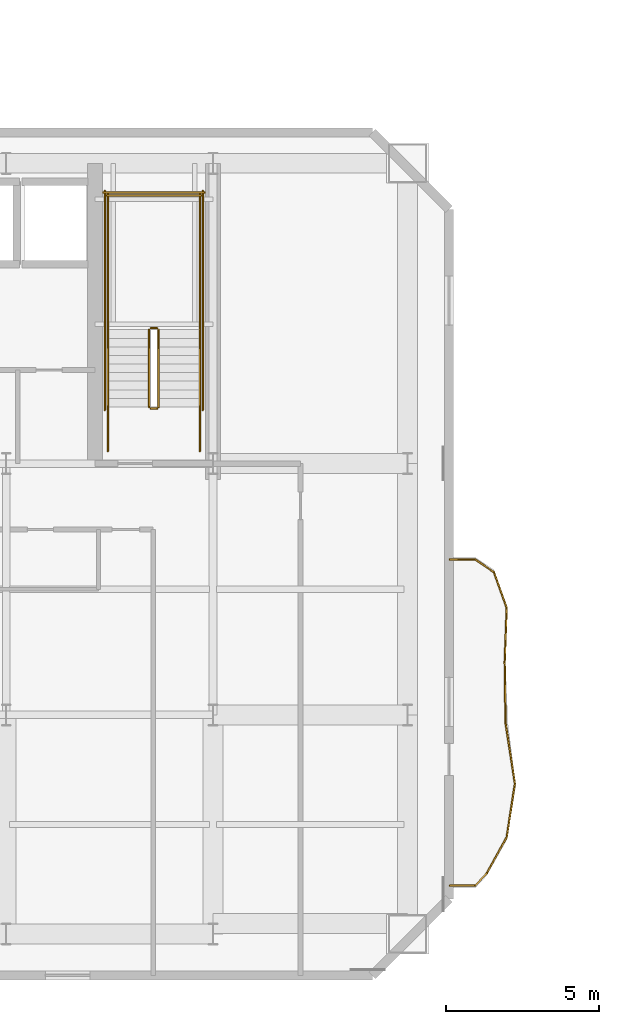
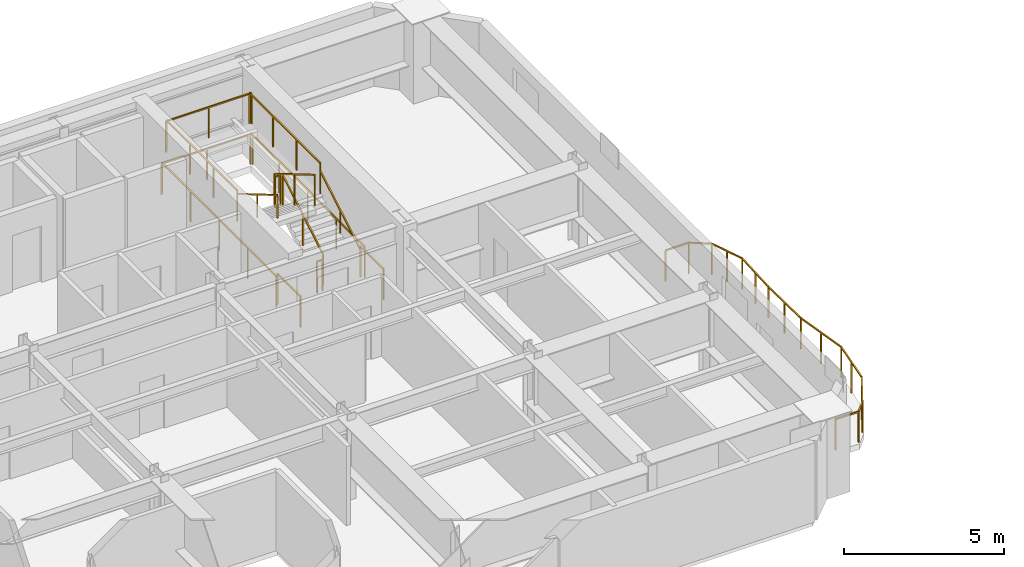
# One storey, part 13 of 15: 24 railings.
"""IFC4 building model written with IfcOpenShell, lengths in metres."""

from ifc_helpers import new_model, si_unit, direction, frame, origin, origin_2d, place, context, subcontext, project, spatial, rectangle, extrude, material, type_object, element, save


model = new_model("IFC4")

# Units and contexts
model_context = context("Model", 3, precision=1e-05, world=origin(), true_north=direction((0.0, 1.0)))
body_context = subcontext(model_context, "Body", "Model", "MODEL_VIEW")
ifc_project = project(units=[si_unit("LENGTHUNIT", "METRE"), si_unit("AREAUNIT", "SQUARE_METRE"), si_unit("VOLUMEUNIT", "CUBIC_METRE"), si_unit("PLANEANGLEUNIT", "RADIAN"), si_unit("MASSUNIT", "GRAM", prefix="KILO")], contexts=[model_context])

# Site, building, storey
site_placement = place(None, origin())
site = spatial("IfcSite", under=ifc_project, at=site_placement, CompositionType="ELEMENT")
building_placement = place(site_placement, origin())
building = spatial("IfcBuilding", under=site, at=building_placement, Name="Haevon Station Towers", CompositionType="ELEMENT")
storey_placement = place(building_placement, frame((0.0, 0.0, 152.699951171875)))
storey = spatial("IfcBuildingStorey", under=building, at=storey_placement, Name="L41", CompositionType="ELEMENT", Elevation=152.699951171875)

# Railings
ifc_material = material(Name="Steel S355", Category="steel")
railing_type_1 = type_object("IfcRailingType", Name="GRD-EXT1200", PredefinedType="GUARDRAIL", material=ifc_material)
railing_1_placement = place(storey_placement, frame((58.723388671875, 24.427734375, 0.0)))
element("IfcRailing", 1, at=railing_1_placement, inside=storey, type_object=railing_type_1, Name="L41 Perimeter Guardrail 1", PredefinedType="GUARDRAIL", context=body_context, shape_type="SweptSolid", body=[
    extrude(rectangle(XDim=0.048095703125, YDim=0.048095703125, at=origin_2d()), frame((0.0, 0.0, 1.17578125), z_axis=(0.999997283225, 0.002330995998, 0.0), x_axis=(-0.002330995998, 0.999997283225, 0.0)), (0.0, 0.0, 1.0), 0.837890625),
    extrude(rectangle(XDim=0.0419921875, YDim=0.0419921875, at=origin_2d()), origin(), (0.0, 0.0, 1.0), 1.15185546875),
    extrude(rectangle(XDim=0.0419921875, YDim=0.0419921875, at=origin_2d()), frame((0.837890625, 0.001953125, 0.0)), (0.0, 0.0, 1.0), 1.15185546875),
])
railing_2_placement = place(storey_placement, frame((59.561279296875, 24.4296875, 0.0)))
element("IfcRailing", 2, at=railing_2_placement, inside=storey, type_object=railing_type_1, Name="L41 Perimeter Guardrail 2", PredefinedType="GUARDRAIL", context=body_context, shape_type="SweptSolid", body=[
    extrude(rectangle(XDim=0.048095703125, YDim=0.048095703125, at=origin_2d()), frame((0.0, 0.0, 1.17578125), z_axis=(0.676061194254, 0.736845480154, 0.0), x_axis=(-0.736845480154, 0.676061194254, 0.0)), (0.0, 0.0, 1.0), 0.558349609375),
    extrude(rectangle(XDim=0.0419921875, YDim=0.0419921875, at=origin_2d()), origin(), (0.0, 0.0, 1.0), 1.15185546875),
    extrude(rectangle(XDim=0.0419921875, YDim=0.0419921875, at=origin_2d()), frame((0.37744140625, 0.411376953125, 0.0)), (0.0, 0.0, 1.0), 1.15185546875),
])
railing_3_placement = place(storey_placement, frame((59.938720703125, 24.841064453125, 0.0)))
element("IfcRailing", 3, at=railing_3_placement, inside=storey, type_object=railing_type_1, Name="L41 Perimeter Guardrail 3", PredefinedType="GUARDRAIL", context=body_context, shape_type="SweptSolid", body=[
    extrude(rectangle(XDim=0.048095703125, YDim=0.048095703125, at=origin_2d()), frame((0.0, 0.0, 1.17578125), z_axis=(0.483454046519, 0.875369741826, 0.0), x_axis=(-0.875369741826, 0.483454046519, 0.0)), (0.0, 0.0, 1.0), 1.336181640625),
    extrude(rectangle(XDim=0.0419921875, YDim=0.0419921875, at=origin_2d()), origin(), (0.0, 0.0, 1.0), 1.15185546875),
    extrude(rectangle(XDim=0.0419921875, YDim=0.0419921875, at=origin_2d()), frame((0.322998046875, 0.5849609375, 0.0)), (0.0, 0.0, 1.0), 1.15185546875),
    extrude(rectangle(XDim=0.0419921875, YDim=0.0419921875, at=origin_2d()), frame((0.64599609375, 1.169677734375, 0.0)), (0.0, 0.0, 1.0), 1.15185546875),
])
railing_4_placement = place(storey_placement, frame((60.584716796875, 26.0107421875, 0.0)))
element("IfcRailing", 4, at=railing_4_placement, inside=storey, type_object=railing_type_1, Name="L41 Perimeter Guardrail 4", PredefinedType="GUARDRAIL", context=body_context, shape_type="SweptSolid", body=[
    extrude(rectangle(XDim=0.048095703125, YDim=0.048095703125, at=origin_2d()), frame((0.0, 0.0, 1.17578125), z_axis=(0.1513405267, 0.988481686719, 0.0), x_axis=(-0.988481686719, 0.1513405267, 0.0)), (0.0, 0.0, 1.0), 1.766357421875),
    extrude(rectangle(XDim=0.0419921875, YDim=0.0419921875, at=origin_2d()), origin(), (0.0, 0.0, 1.0), 1.15185546875),
    extrude(rectangle(XDim=0.0419921875, YDim=0.0419921875, at=origin_2d()), frame((0.1337890625, 0.873046875, 0.0)), (0.0, 0.0, 1.0), 1.15185546875),
    extrude(rectangle(XDim=0.0419921875, YDim=0.0419921875, at=origin_2d()), frame((0.267333984375, 1.74609375, 0.0)), (0.0, 0.0, 1.0), 1.15185546875),
])
railing_5_placement = place(storey_placement, frame((60.85205078125, 27.7568359375, 0.0)))
element("IfcRailing", 5, at=railing_5_placement, inside=storey, type_object=railing_type_1, Name="L41 Perimeter Guardrail 5", PredefinedType="GUARDRAIL", context=body_context, shape_type="SweptSolid", body=[
    extrude(rectangle(XDim=0.048095703125, YDim=0.048095703125, at=origin_2d()), frame((0.0, 0.0, 1.17578125), z_axis=(-0.151938915534, 0.988389885595, 0.0), x_axis=(-0.988389885595, -0.151938915534, 0.0)), (0.0, 0.0, 1.0), 2.0166015625),
    extrude(rectangle(XDim=0.0419921875, YDim=0.0419921875, at=origin_2d()), origin(), (0.0, 0.0, 1.0), 1.15185546875),
    extrude(rectangle(XDim=0.0419921875, YDim=0.0419921875, at=origin_2d()), frame((-0.1533203125, 0.99658203125, 0.0)), (0.0, 0.0, 1.0), 1.15185546875),
    extrude(rectangle(XDim=0.0419921875, YDim=0.0419921875, at=origin_2d()), frame((-0.306396484375, 1.9931640625, 0.0)), (0.0, 0.0, 1.0), 1.15185546875),
])
railing_6_placement = place(storey_placement, frame((60.545654296875, 29.75, 0.0)))
element("IfcRailing", 6, at=railing_6_placement, inside=storey, type_object=railing_type_1, Name="L41 Perimeter Guardrail 6", PredefinedType="GUARDRAIL", context=body_context, shape_type="SweptSolid", body=[
    extrude(rectangle(XDim=0.048095703125, YDim=0.048095703125, at=origin_2d()), frame((0.0, 0.0, 1.17578125), z_axis=(-0.012885528069, 0.999916978137, 0.0), x_axis=(-0.999916978137, -0.012885528069, 0.0)), (0.0, 0.0, 1.0), 1.989501953125),
    extrude(rectangle(XDim=0.0419921875, YDim=0.0419921875, at=origin_2d()), origin(), (0.0, 0.0, 1.0), 1.15185546875),
    extrude(rectangle(XDim=0.0419921875, YDim=0.0419921875, at=origin_2d()), frame((-0.0126953125, 0.99462890625, 0.0)), (0.0, 0.0, 1.0), 1.15185546875),
    extrude(rectangle(XDim=0.0419921875, YDim=0.0419921875, at=origin_2d()), frame((-0.025634765625, 1.9892578125, 0.0)), (0.0, 0.0, 1.0), 1.15185546875),
])
railing_7_placement = place(storey_placement, frame((60.52001953125, 31.7392578125, 0.0)))
element("IfcRailing", 7, at=railing_7_placement, inside=storey, type_object=railing_type_1, Name="L41 Perimeter Guardrail 7", PredefinedType="GUARDRAIL", context=body_context, shape_type="SweptSolid", body=[
    extrude(rectangle(XDim=0.048095703125, YDim=0.048095703125, at=origin_2d()), frame((0.0, 0.0, 1.17578125), z_axis=(0.03694462727, 0.999317314228, 0.0), x_axis=(-0.999317314228, 0.03694462727, 0.0)), (0.0, 0.0, 1.0), 1.751220703125),
    extrude(rectangle(XDim=0.0419921875, YDim=0.0419921875, at=origin_2d()), origin(), (0.0, 0.0, 1.0), 1.15185546875),
    extrude(rectangle(XDim=0.0419921875, YDim=0.0419921875, at=origin_2d()), frame((0.0322265625, 0.875, 0.0)), (0.0, 0.0, 1.0), 1.15185546875),
    extrude(rectangle(XDim=0.0419921875, YDim=0.0419921875, at=origin_2d()), frame((0.064697265625, 1.75, 0.0)), (0.0, 0.0, 1.0), 1.15185546875),
])
railing_8_placement = place(storey_placement, frame((60.584716796875, 33.4892578125, 0.0)))
element("IfcRailing", 8, at=railing_8_placement, inside=storey, type_object=railing_type_1, Name="L41 Perimeter Guardrail 8", PredefinedType="GUARDRAIL", context=body_context, shape_type="SweptSolid", body=[
    extrude(rectangle(XDim=0.048095703125, YDim=0.048095703125, at=origin_2d()), frame((0.0, 0.0, 1.17578125), z_axis=(-0.337369310721, 0.941372374878, 0.0), x_axis=(-0.941372374878, -0.337369310721, 0.0)), (0.0, 0.0, 1.0), 1.242431640625),
    extrude(rectangle(XDim=0.0419921875, YDim=0.0419921875, at=origin_2d()), origin(), (0.0, 0.0, 1.0), 1.15185546875),
    extrude(rectangle(XDim=0.0419921875, YDim=0.0419921875, at=origin_2d()), frame((-0.20947265625, 0.5849609375, 0.0)), (0.0, 0.0, 1.0), 1.15185546875),
    extrude(rectangle(XDim=0.0419921875, YDim=0.0419921875, at=origin_2d()), frame((-0.419189453125, 1.169677734375, 0.0)), (0.0, 0.0, 1.0), 1.15185546875),
])
railing_9_placement = place(storey_placement, frame((60.16552734375, 34.658935546875, 0.0)))
element("IfcRailing", 9, at=railing_9_placement, inside=storey, type_object=railing_type_1, Name="L41 Perimeter Guardrail 9", PredefinedType="GUARDRAIL", context=body_context, shape_type="SweptSolid", body=[
    extrude(rectangle(XDim=0.048095703125, YDim=0.048095703125, at=origin_2d()), frame((0.0, 0.0, 1.17578125), z_axis=(-0.826615776088, 0.562766700084, 0.0), x_axis=(-0.562766700084, -0.826615776088, 0.0)), (0.0, 0.0, 1.0), 0.73095703125),
    extrude(rectangle(XDim=0.0419921875, YDim=0.0419921875, at=origin_2d()), origin(), (0.0, 0.0, 1.0), 1.15185546875),
    extrude(rectangle(XDim=0.0419921875, YDim=0.0419921875, at=origin_2d()), frame((-0.604248046875, 0.411376953125, 0.0)), (0.0, 0.0, 1.0), 1.15185546875),
])
railing_10_placement = place(storey_placement, frame((59.561279296875, 35.0703125, 0.0)))
element("IfcRailing", 10, at=railing_10_placement, inside=storey, type_object=railing_type_1, Name="L41 Perimeter Guardrail 10", PredefinedType="GUARDRAIL", context=body_context, shape_type="SweptSolid", body=[
    extrude(rectangle(XDim=0.048095703125, YDim=0.048095703125, at=origin_2d()), frame((0.0, 0.0, 1.17578125), z_axis=(-0.999997283225, 0.002330995998, 0.0), x_axis=(-0.002330995998, -0.999997283225, 0.0)), (0.0, 0.0, 1.0), 0.837890625),
    extrude(rectangle(XDim=0.0419921875, YDim=0.0419921875, at=origin_2d()), origin(), (0.0, 0.0, 1.0), 1.15185546875),
    extrude(rectangle(XDim=0.0419921875, YDim=0.0419921875, at=origin_2d()), frame((-0.837890625, 0.001953125, 0.0)), (0.0, 0.0, 1.0), 1.15185546875),
])
railing_type_2 = type_object("IfcRailingType", Name="GRD-STR1200", PredefinedType="GUARDRAIL", material=ifc_material)
railing_11_placement = place(storey_placement, frame((49.219970703125, 40.050048828125, 0.1650390625)))
element("IfcRailing", 11, at=railing_11_placement, inside=storey, type_object=railing_type_2, Name="L41 ST2 Stair Guard 1", PredefinedType="GUARDRAIL", context=body_context, shape_type="SweptSolid", body=[
    extrude(rectangle(XDim=0.048095703125, YDim=0.048095703125, at=origin_2d()), frame((0.0, 0.0, 1.17578125), z_axis=(0.0, 0.86152411907, 0.507716645641), x_axis=(-1.0, 0.0, 0.0)), (0.0, 0.0, 1.0), 2.925048828125),
    extrude(rectangle(XDim=0.0419921875, YDim=0.0419921875, at=origin_2d()), origin(), (0.0, 0.0, 1.0), 1.15185546875),
    extrude(rectangle(XDim=0.0419921875, YDim=0.0419921875, at=origin_2d()), frame((0.0, 1.260009765625, 0.74267578125)), (0.0, 0.0, 1.0), 1.15185546875),
    extrude(rectangle(XDim=0.0419921875, YDim=0.0419921875, at=origin_2d()), frame((0.0, 2.52001953125, 1.485107421875)), (0.0, 0.0, 1.0), 1.15185546875),
])
railing_12_placement = place(storey_placement, frame((49.169921875, 42.6201171875, 1.650146484375)))
element("IfcRailing", 12, at=railing_12_placement, inside=storey, type_object=railing_type_2, Name="L41 ST2 Stair Guard 2", PredefinedType="GUARDRAIL", context=body_context, shape_type="SweptSolid", body=[
    extrude(rectangle(XDim=0.048095703125, YDim=0.048095703125, at=origin_2d()), frame((0.0, 0.0, 1.17578125), z_axis=(-1.0, 0.0, 0.0), x_axis=(0.0, -1.0, 0.0)), (0.0, 0.0, 1.0), 0.199951171875),
    extrude(rectangle(XDim=0.0419921875, YDim=0.0419921875, at=origin_2d()), origin(), (0.0, 0.0, 1.0), 1.15185546875),
    extrude(rectangle(XDim=0.0419921875, YDim=0.0419921875, at=origin_2d()), frame((-0.199951171875, 0.0, 0.0)), (0.0, 0.0, 1.0), 1.15185546875),
])
for number, where, name in (
    (13, (50.570068359375, 42.570068359375, 1.650146484375), "L41 ST2 Stair Guard 3"),
    (14, (47.570068359375, 42.570068359375, 1.650146484375), "L41 ST2 Stair Guard 4"),
):
    element("IfcRailing", number, at=place(storey_placement, frame(where)), inside=storey, type_object=railing_type_2, Name=name, PredefinedType="GUARDRAIL", context=body_context, shape_type="SweptSolid", body=[
        extrude(rectangle(XDim=0.048095703125, YDim=0.048095703125, at=origin_2d()), frame((0.0, 0.0, 1.17578125), z_axis=(0.0, 1.0, 0.0), x_axis=(-1.0, 0.0, 0.0)), (0.0, 0.0, 1.0), 4.429931640625),
        extrude(rectangle(XDim=0.0419921875, YDim=0.0419921875, at=origin_2d()), origin(), (0.0, 0.0, 1.0), 1.15185546875),
        extrude(rectangle(XDim=0.0419921875, YDim=0.0419921875, at=origin_2d()), frame((0.0, 1.4765625, 0.0)), (0.0, 0.0, 1.0), 1.15185546875),
        extrude(rectangle(XDim=0.0419921875, YDim=0.0419921875, at=origin_2d()), frame((0.0, 2.953369140625, 0.0)), (0.0, 0.0, 1.0), 1.15185546875),
        extrude(rectangle(XDim=0.0419921875, YDim=0.0419921875, at=origin_2d()), frame((0.0, 4.429931640625, 0.0)), (0.0, 0.0, 1.0), 1.15185546875),
    ])
railing_13_placement = place(storey_placement, frame((50.6201171875, 46.949951171875, 1.650146484375)))
element("IfcRailing", 15, at=railing_13_placement, inside=storey, type_object=railing_type_2, Name="L41 ST2 Stair Guard 5", PredefinedType="GUARDRAIL", context=body_context, shape_type="SweptSolid", body=[
    extrude(rectangle(XDim=0.048095703125, YDim=0.048095703125, at=origin_2d()), frame((0.0, 0.0, 1.17578125), z_axis=(-1.0, 0.0, 0.0), x_axis=(0.0, -1.0, 0.0)), (0.0, 0.0, 1.0), 3.10009765625),
    extrude(rectangle(XDim=0.0419921875, YDim=0.0419921875, at=origin_2d()), origin(), (0.0, 0.0, 1.0), 1.15185546875),
    extrude(rectangle(XDim=0.0419921875, YDim=0.0419921875, at=origin_2d()), frame((-1.550048828125, 0.0, 0.0)), (0.0, 0.0, 1.0), 1.15185546875),
    extrude(rectangle(XDim=0.0419921875, YDim=0.0419921875, at=origin_2d()), frame((-3.10009765625, 0.0, 0.0)), (0.0, 0.0, 1.0), 1.15185546875),
])
railing_14_placement = place(storey_placement, frame((48.919921875, 42.570068359375, 1.81494140625)))
element("IfcRailing", 16, at=railing_14_placement, inside=storey, type_object=railing_type_2, Name="L41 ST2 Stair Guard 6", PredefinedType="GUARDRAIL", context=body_context, shape_type="SweptSolid", body=[
    extrude(rectangle(XDim=0.048095703125, YDim=0.048095703125, at=origin_2d()), frame((0.0, 0.0, 1.17578125), z_axis=(0.0, -0.86152411907, 0.507716645641), x_axis=(1.0, 0.0, 0.0)), (0.0, 0.0, 1.0), 2.925048828125),
    extrude(rectangle(XDim=0.0419921875, YDim=0.0419921875, at=origin_2d()), origin(), (0.0, 0.0, 1.0), 1.15185546875),
    extrude(rectangle(XDim=0.0419921875, YDim=0.0419921875, at=origin_2d()), frame((0.0, -1.260009765625, 0.74267578125)), (0.0, 0.0, 1.0), 1.15185546875),
    extrude(rectangle(XDim=0.0419921875, YDim=0.0419921875, at=origin_2d()), frame((0.0, -2.52001953125, 1.485107421875)), (0.0, 0.0, 1.0), 1.15185546875),
])
railing_15_placement = place(storey_placement, frame((49.169921875, 40.0, 0.0)))
element("IfcRailing", 17, at=railing_15_placement, inside=storey, type_object=railing_type_2, Name="L41 ST2 Stair Guard 7", PredefinedType="GUARDRAIL", context=body_context, shape_type="SweptSolid", body=[
    extrude(rectangle(XDim=0.048095703125, YDim=0.048095703125, at=origin_2d()), frame((0.0, 0.0, 1.17578125), z_axis=(-1.0, 0.0, 0.0), x_axis=(0.0, -1.0, 0.0)), (0.0, 0.0, 1.0), 0.199951171875),
    extrude(rectangle(XDim=0.0419921875, YDim=0.0419921875, at=origin_2d()), origin(), (0.0, 0.0, 1.0), 1.15185546875),
    extrude(rectangle(XDim=0.0419921875, YDim=0.0419921875, at=origin_2d()), frame((-0.199951171875, 0.0, 0.0)), (0.0, 0.0, 1.0), 1.15185546875),
])
for number, where, name in (
    (18, (50.570068359375, 38.60009765625, 0.0), "L41 ST2 Stair Guard 8"),
    (19, (47.570068359375, 38.60009765625, 0.0), "L41 ST2 Stair Guard 9"),
):
    element("IfcRailing", number, at=place(storey_placement, frame(where)), inside=storey, type_object=railing_type_2, Name=name, PredefinedType="GUARDRAIL", context=body_context, shape_type="SweptSolid", body=[
        extrude(rectangle(XDim=0.048095703125, YDim=0.048095703125, at=origin_2d()), frame((0.0, 0.0, 1.17578125), z_axis=(0.0, 1.0, 0.0), x_axis=(-1.0, 0.0, 0.0)), (0.0, 0.0, 1.0), 1.449951171875),
        extrude(rectangle(XDim=0.0419921875, YDim=0.0419921875, at=origin_2d()), origin(), (0.0, 0.0, 1.0), 1.15185546875),
        extrude(rectangle(XDim=0.0419921875, YDim=0.0419921875, at=origin_2d()), frame((0.0, 1.449951171875, 0.0)), (0.0, 0.0, 1.0), 1.15185546875),
    ])
for number, where, name in (
    (20, (50.669921875, 39.949951171875, 0.0), "L41 ST2 Stair Guard 10"),
    (21, (47.469970703125, 39.949951171875, 0.0), "L41 ST2 Stair Guard 11"),
):
    element("IfcRailing", number, at=place(storey_placement, frame(where)), inside=storey, type_object=railing_type_2, Name=name, PredefinedType="GUARDRAIL", context=body_context, shape_type="SweptSolid", body=[
        extrude(rectangle(XDim=0.048095703125, YDim=0.048095703125, at=origin_2d()), frame((0.0, 0.0, 1.17578125), z_axis=(0.0, 1.0, 0.0), x_axis=(-1.0, 0.0, 0.0)), (0.0, 0.0, 1.0), 7.150146484375),
        extrude(rectangle(XDim=0.0419921875, YDim=0.0419921875, at=origin_2d()), origin(), (0.0, 0.0, 1.0), 1.15185546875),
        extrude(rectangle(XDim=0.0419921875, YDim=0.0419921875, at=origin_2d()), frame((0.0, 1.78759765625, 0.0)), (0.0, 0.0, 1.0), 1.15185546875),
        extrude(rectangle(XDim=0.0419921875, YDim=0.0419921875, at=origin_2d()), frame((0.0, 3.5751953125, 0.0)), (0.0, 0.0, 1.0), 1.15185546875),
        extrude(rectangle(XDim=0.0419921875, YDim=0.0419921875, at=origin_2d()), frame((0.0, 5.362548828125, 0.0)), (0.0, 0.0, 1.0), 1.15185546875),
        extrude(rectangle(XDim=0.0419921875, YDim=0.0419921875, at=origin_2d()), frame((0.0, 7.150146484375, 0.0)), (0.0, 0.0, 1.0), 1.15185546875),
    ])
railing_16_placement = place(storey_placement, frame((50.719970703125, 47.050048828125, 0.0)))
element("IfcRailing", 22, at=railing_16_placement, inside=storey, type_object=railing_type_2, Name="L41 ST2 Stair Guard 12", PredefinedType="GUARDRAIL", context=body_context, shape_type="SweptSolid", body=[
    extrude(rectangle(XDim=0.048095703125, YDim=0.048095703125, at=origin_2d()), frame((0.0, 0.0, 1.17578125), z_axis=(-1.0, 0.0, 0.0), x_axis=(0.0, -1.0, 0.0)), (0.0, 0.0, 1.0), 3.300048828125),
    extrude(rectangle(XDim=0.0419921875, YDim=0.0419921875, at=origin_2d()), origin(), (0.0, 0.0, 1.0), 1.15185546875),
    extrude(rectangle(XDim=0.0419921875, YDim=0.0419921875, at=origin_2d()), frame((-1.64990234375, 0.0, 0.0)), (0.0, 0.0, 1.0), 1.15185546875),
    extrude(rectangle(XDim=0.0419921875, YDim=0.0419921875, at=origin_2d()), frame((-3.300048828125, 0.0, 0.0)), (0.0, 0.0, 1.0), 1.15185546875),
])
railing_type_3 = type_object("IfcRailingType", Name="HND-STR900", PredefinedType="HANDRAIL", material=ifc_material)
railing_17_placement = place(storey_placement, frame((50.570068359375, 40.050048828125, 0.1650390625)))
element("IfcRailing", 23, at=railing_17_placement, inside=storey, type_object=railing_type_3, Name="L41 ST2 Stair Handrail 1", PredefinedType="HANDRAIL", context=body_context, shape_type="SweptSolid", body=[
    extrude(rectangle(XDim=0.048095703125, YDim=0.048095703125, at=origin_2d()), frame((0.0, 0.0, 0.8759765625), z_axis=(0.0, 0.86152411907, 0.507716645641), x_axis=(-1.0, 0.0, 0.0)), (0.0, 0.0, 1.0), 2.925048828125),
    extrude(rectangle(XDim=0.0419921875, YDim=0.0419921875, at=origin_2d()), origin(), (0.0, 0.0, 1.0), 0.851806640625),
    extrude(rectangle(XDim=0.0419921875, YDim=0.0419921875, at=origin_2d()), frame((0.0, 1.260009765625, 0.74267578125)), (0.0, 0.0, 1.0), 0.851806640625),
    extrude(rectangle(XDim=0.0419921875, YDim=0.0419921875, at=origin_2d()), frame((0.0, 2.52001953125, 1.485107421875)), (0.0, 0.0, 1.0), 0.851806640625),
])
railing_18_placement = place(storey_placement, frame((47.570068359375, 42.570068359375, 1.81494140625)))
element("IfcRailing", 24, at=railing_18_placement, inside=storey, type_object=railing_type_3, Name="L41 ST2 Stair Handrail 2", PredefinedType="HANDRAIL", context=body_context, shape_type="SweptSolid", body=[
    extrude(rectangle(XDim=0.048095703125, YDim=0.048095703125, at=origin_2d()), frame((0.0, 0.0, 0.8759765625), z_axis=(0.0, -0.86152411907, 0.507716645641), x_axis=(1.0, 0.0, 0.0)), (0.0, 0.0, 1.0), 2.925048828125),
    extrude(rectangle(XDim=0.0419921875, YDim=0.0419921875, at=origin_2d()), origin(), (0.0, 0.0, 1.0), 0.851806640625),
    extrude(rectangle(XDim=0.0419921875, YDim=0.0419921875, at=origin_2d()), frame((0.0, -1.260009765625, 0.74267578125)), (0.0, 0.0, 1.0), 0.851806640625),
    extrude(rectangle(XDim=0.0419921875, YDim=0.0419921875, at=origin_2d()), frame((0.0, -2.52001953125, 1.485107421875)), (0.0, 0.0, 1.0), 0.851806640625),
])

save(model, "model.ifc")
